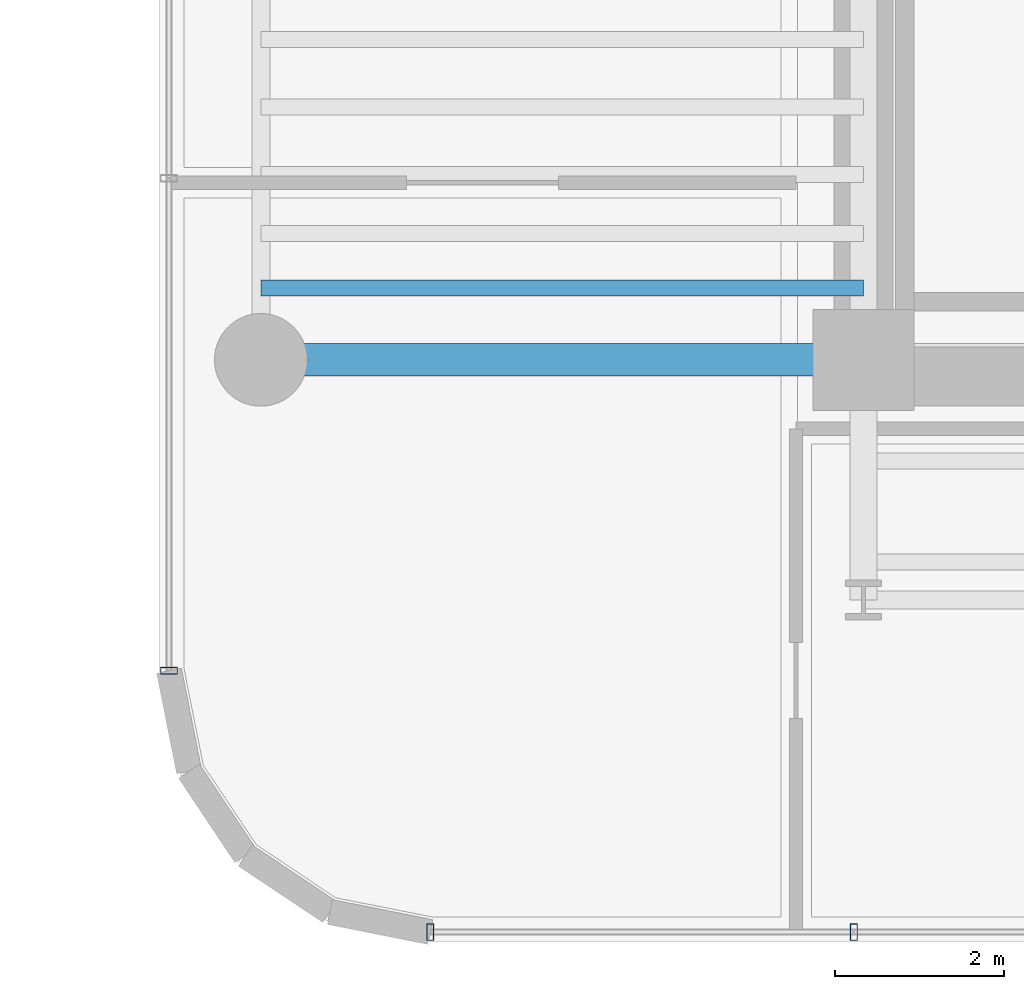
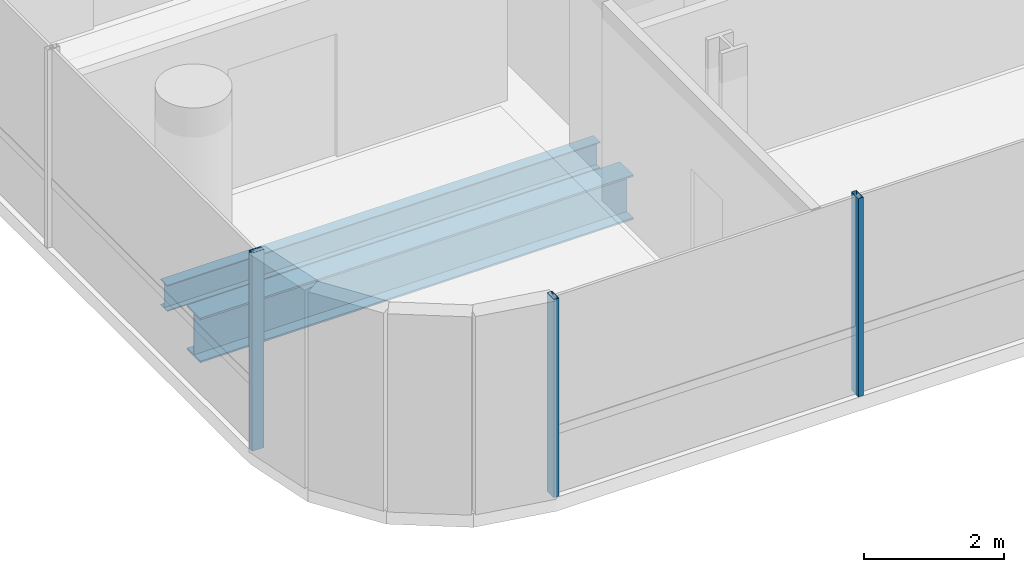
# One storey, part 2 of 34: 3 members, 2 beams, 2 elements without a shape of their own.
"""IFC4 building model written with IfcOpenShell, lengths in metres."""

from ifc_helpers import new_model, si_unit, direction, frame, origin, origin_2d, place, context, subcontext, project, spatial, hollow_rectangle, i_section, extrude, source, transform, mapped, material, material_profile, profile_set, type_object, element, aggregate, save


model = new_model("IFC4")

# Units and contexts
model_context = context("Model", 3, precision=1e-05, world=origin(), true_north=direction((0.0, 1.0)))
body_context = subcontext(model_context, "Body", "Model", "MODEL_VIEW")
ifc_project = project(units=[si_unit("LENGTHUNIT", "METRE"), si_unit("AREAUNIT", "SQUARE_METRE"), si_unit("VOLUMEUNIT", "CUBIC_METRE"), si_unit("PLANEANGLEUNIT", "RADIAN"), si_unit("MASSUNIT", "GRAM", prefix="KILO")], contexts=[model_context])

# Site, building, storey
site_placement = place(None, origin())
site = spatial("IfcSite", under=ifc_project, at=site_placement, CompositionType="ELEMENT")
building_placement = place(site_placement, origin())
building = spatial("IfcBuilding", under=site, at=building_placement, Name="Valdorenza Pilgrim Sanctuary Tower", CompositionType="ELEMENT")
storey_placement = place(building_placement, frame((0.0, 0.0, 146.39990234375)))
storey = spatial("IfcBuildingStorey", under=building, at=storey_placement, Name="L37", CompositionType="ELEMENT", Elevation=146.39990234375)

# Beams
ifc_material_1 = material(Name="Steel ASTM A992 Grade 50", Category="steel")
ifc_material_profile_1 = material_profile(ifc_material_1, i_section(OverallWidth=0.382080078125, OverallDepth=0.779052734375, WebThickness=0.01806640625, FlangeThickness=0.030029296875, at=origin_2d()), Name="W30X191")
ifc_profile_set_1 = profile_set([ifc_material_profile_1], Name="Steel ASTM A992 Grade 50")
beam_type_1 = type_object("IfcBeamType", Name="STR-BM-GRD-W30", PredefinedType="BEAM", material=ifc_profile_set_1)
shared_shape_1 = source(origin(), body_context, "Body", "SweptSolid", [
    extrude(i_section(OverallWidth=0.382080078125, OverallDepth=0.779052734375, WebThickness=0.01806640625, FlangeThickness=0.030029296875, at=origin_2d()), origin(), (0.0, 0.0, 1.0), 7.150146484375),
])
beam_1_placement = place(storey_placement, frame((-29.800048828125, -10.60009765625, -0.62939453125), z_axis=(1.0, 0.0, 0.0), x_axis=(0.0, 1.0, 0.0)))
element("IfcBeam", 1, at=beam_1_placement, inside=storey, type_object=beam_type_1, Name="L37 Floor Girder WA-XW-S1", PredefinedType="BEAM", context=body_context, shape_type="MappedRepresentation", body=[
    mapped(shared_shape_1, transform((0.0, 0.0, 0.0), x_axis=(1.0, 0.0, 0.0), y_axis=(0.0, 1.0, 0.0), z_axis=(0.0, 0.0, 1.0), scale=1.0)),
])
ifc_material_profile_2 = material_profile(ifc_material_1, i_section(OverallWidth=0.19091796875, OverallDepth=0.45703125, WebThickness=0.009033203125, FlangeThickness=0.014404296875, at=origin_2d()), Name="W18X50")
ifc_profile_set_2 = profile_set([ifc_material_profile_2], Name="Steel ASTM A992 Grade 50")
beam_type_2 = type_object("IfcBeamType", Name="STR-BM-JST-W18B", PredefinedType="JOIST", material=ifc_profile_set_2)
shared_shape_2 = source(origin(), body_context, "Body", "SweptSolid", [
    extrude(i_section(OverallWidth=0.19091796875, OverallDepth=0.45703125, WebThickness=0.009033203125, FlangeThickness=0.014404296875, at=origin_2d()), origin(), (0.0, 0.0, 1.0), 7.150146484375),
])
beam_2_placement = place(storey_placement, frame((-29.800048828125, -9.75, -0.468505859375), z_axis=(1.0, 0.0, 0.0), x_axis=(0.0, 1.0, 0.0)))
element("IfcBeam", 2, at=beam_2_placement, inside=storey, type_object=beam_type_2, Name="L37 Composite Floor Joist JST-WA-1", PredefinedType="JOIST", context=body_context, shape_type="MappedRepresentation", body=[
    mapped(shared_shape_2, transform((0.0, 0.0, 0.0), x_axis=(1.0, 0.0, 0.0), y_axis=(0.0, 1.0, 0.0), z_axis=(0.0, 0.0, 1.0), scale=1.0)),
])

# Curtain wall, member
ifc_material_2 = material(Name="Curtain-wall IGU glazing", Category="glass")
curtain_wall_type = type_object("IfcCurtainWallType", Name="CW-SYS-02", PredefinedType="NOTDEFINED", material=ifc_material_2)
curtain_wall_1_placement = place(storey_placement, origin())
curtain_wall_1 = element("IfcCurtainWall", 3, at=curtain_wall_1_placement, inside=storey, type_object=curtain_wall_type, Name="L37 Curtain Wall CW-L37-1-1S1", PredefinedType="NOTDEFINED")
ifc_material_3 = material(Name="Anodised aluminium AW-6060", Category="aluminium")
ifc_material_profile_3 = material_profile(ifc_material_3, hollow_rectangle(XDim=0.0849609375, YDim=0.199951171875, WallThickness=0.0048828125, at=origin_2d()), Name="ALU-M 200x85x5")
ifc_profile_set_3 = profile_set([ifc_material_profile_3], Name="Anodised aluminium AW-6060")
member_type = type_object("IfcMemberType", Name="CW-MUL-02", PredefinedType="MULLION", material=ifc_profile_set_3)
shared_shape_3 = source(origin(), body_context, "Body", "SweptSolid", [
    extrude(hollow_rectangle(XDim=0.0849609375, YDim=0.199951171875, WallThickness=0.0048828125, at=origin_2d()), origin(), (0.0, 0.0, 1.0), 3.460205078125),
])
member_1_placement = place(storey_placement, frame((-30.889892578125, -14.289306640625, 0.0), z_axis=(0.0, 0.0, 1.0), x_axis=(0.0, 1.0, 0.0)))
member_1 = element("IfcMember", 4, at=member_1_placement, type_object=member_type, Name="CW-L37-1-1S1 Mullion 1", PredefinedType="MULLION", context=body_context, shape_type="MappedRepresentation", body=[
    mapped(shared_shape_3, transform((0.0, 0.0, 0.0), x_axis=(1.0, 0.0, 0.0), y_axis=(0.0, 1.0, 0.0), z_axis=(0.0, 0.0, 1.0), scale=1.0)),
])
aggregate(curtain_wall_1, [member_1])

# Curtain wall, members
curtain_wall_2_placement = place(storey_placement, origin())
curtain_wall_2 = element("IfcCurtainWall", 5, at=curtain_wall_2_placement, inside=storey, type_object=curtain_wall_type, Name="L37 Curtain Wall CW-L37-1-46", PredefinedType="NOTDEFINED")
member_2_placement = place(storey_placement, frame((-22.76318359375, -17.389892578125, 0.0), z_axis=(0.0, 0.0, 1.0), x_axis=(-1.0, 0.0, 0.0)))
member_2 = element("IfcMember", 6, at=member_2_placement, type_object=member_type, Name="CW-L37-1-46 Mullion 3", PredefinedType="MULLION", context=body_context, shape_type="MappedRepresentation", body=[
    mapped(shared_shape_3, transform((0.0, 0.0, 0.0), x_axis=(1.0, 0.0, 0.0), y_axis=(0.0, 1.0, 0.0), z_axis=(0.0, 0.0, 1.0), scale=1.0)),
])
member_3_placement = place(storey_placement, frame((-27.789306640625, -17.389892578125, 0.0), z_axis=(0.0, 0.0, 1.0), x_axis=(-1.0, 0.0, 0.0)))
member_3 = element("IfcMember", 7, at=member_3_placement, type_object=member_type, Name="CW-L37-1-46 Mullion 4", PredefinedType="MULLION", context=body_context, shape_type="MappedRepresentation", body=[
    mapped(shared_shape_3, transform((0.0, 0.0, 0.0), x_axis=(1.0, 0.0, 0.0), y_axis=(0.0, 1.0, 0.0), z_axis=(0.0, 0.0, 1.0), scale=1.0)),
])
aggregate(curtain_wall_2, [member_2, member_3])

save(model, "model.ifc")
